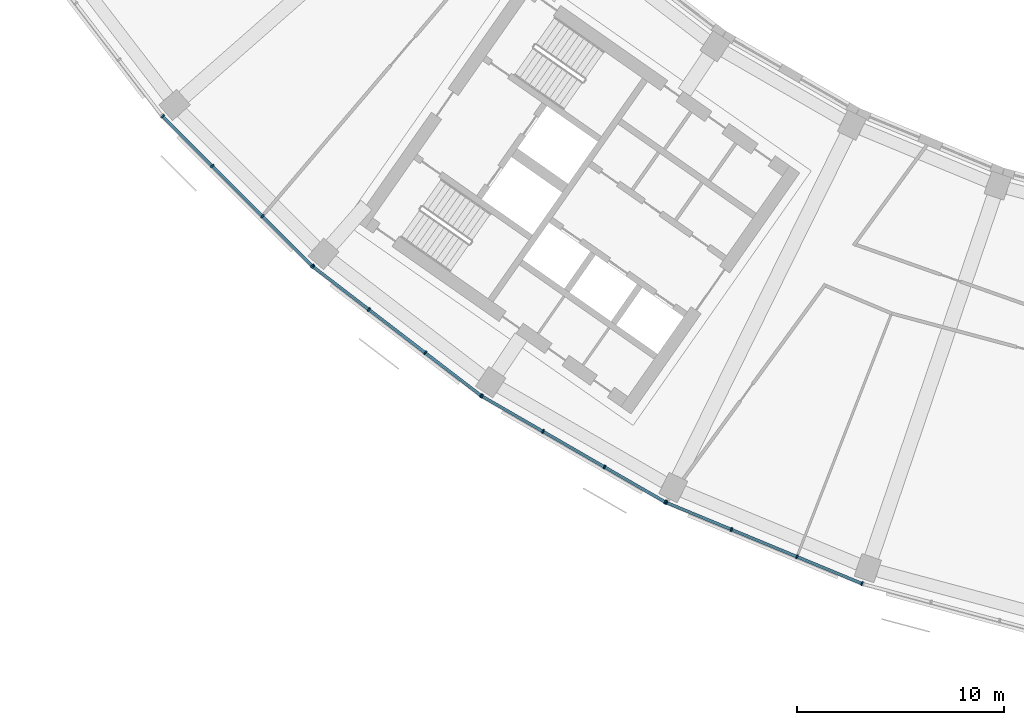
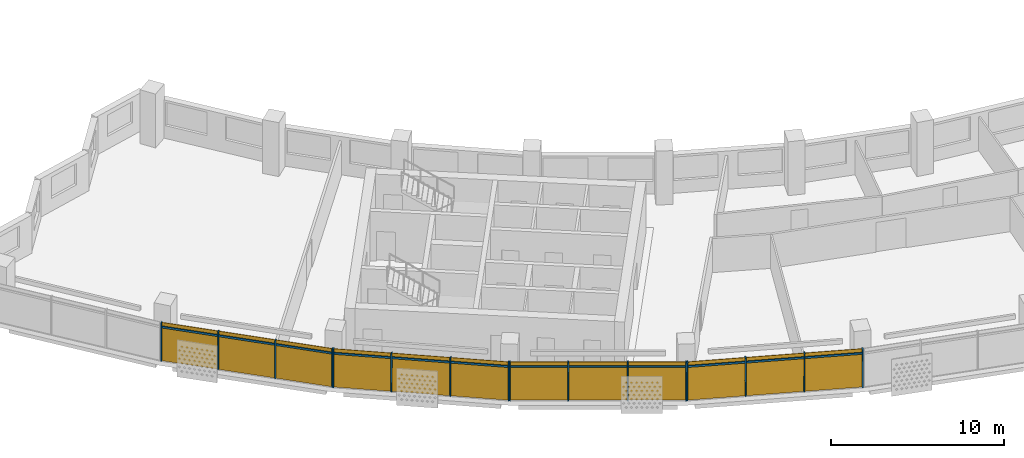
# One storey, part 17 of 29: 28 members, 4 curtain walls.
"""IFC4 building model written with IfcOpenShell, lengths in metres."""

from ifc_helpers import new_model, si_unit, direction, frame, origin, origin_2d, place, context, subcontext, project, spatial, rectangle, extrude, material, material_profile, profile_set, type_object, element, aggregate, save


model = new_model("IFC4")

# Units and contexts
model_context = context("Model", 3, precision=1e-05, world=origin(), true_north=direction((0.0, 1.0)))
body_context = subcontext(model_context, "Body", "Model", "MODEL_VIEW")
ifc_project = project(units=[si_unit("LENGTHUNIT", "METRE"), si_unit("AREAUNIT", "SQUARE_METRE"), si_unit("VOLUMEUNIT", "CUBIC_METRE"), si_unit("PLANEANGLEUNIT", "RADIAN"), si_unit("MASSUNIT", "GRAM", prefix="KILO")], contexts=[model_context])

# Member
ifc_material = material(Name="Aluminium 6063-T6 anodised", Category="aluminium")
ifc_material_profile_1 = material_profile(ifc_material, rectangle(XDim=0.199951171875, YDim=0.070068359375, at=origin_2d()))
ifc_profile_set_1 = profile_set([ifc_material_profile_1], Name="Aluminium 6063-T6 anodised")
member_type_1 = type_object("IfcMemberType", Name="Mullion 70 x 200 aluminium", PredefinedType="MULLION", material=ifc_profile_set_1)
site_placement = place(None, origin())
building_placement = place(site_placement, origin())
storey_placement = place(building_placement, frame((0.0, 0.0, 207.5)))
member_1_placement = place(storey_placement, frame((-59.03662109375, -51.8115234375, 0.0), z_axis=(0.0, 0.0, 1.0), x_axis=(0.707106781187, 0.707106781187, 0.0)))
member_1 = element("IfcMember", 1, at=member_1_placement, type_object=member_type_1, Name="e-cw1-L49-out02/M00", PredefinedType="MULLION", context=body_context, shape_type="SweptSolid", body=[
    extrude(rectangle(XDim=0.199951171875, YDim=0.070068359375, at=origin_2d()), origin(), (0.0, 0.0, 1.0), 2.699951171875),
])

member_2_placement = place(storey_placement, frame((-56.63671875, -54.211669921875, 0.0), z_axis=(0.0, 0.0, 1.0), x_axis=(0.707106781187, 0.707106781187, 0.0)))
member_2 = element("IfcMember", 2, at=member_2_placement, type_object=member_type_1, Name="e-cw1-L49-out02/M01", PredefinedType="MULLION", context=body_context, shape_type="SweptSolid", body=[
    extrude(rectangle(XDim=0.199951171875, YDim=0.070068359375, at=origin_2d()), origin(), (0.0, 0.0, 1.0), 2.699951171875),
])

member_3_placement = place(storey_placement, frame((-54.211669921875, -56.63671875, 0.0), z_axis=(0.0, 0.0, 1.0), x_axis=(0.707106781187, 0.707106781187, 0.0)))
member_3 = element("IfcMember", 3, at=member_3_placement, type_object=member_type_1, Name="e-cw1-L49-out02/M02", PredefinedType="MULLION", context=body_context, shape_type="SweptSolid", body=[
    extrude(rectangle(XDim=0.199951171875, YDim=0.070068359375, at=origin_2d()), origin(), (0.0, 0.0, 1.0), 2.699951171875),
])

member_4_placement = place(storey_placement, frame((-51.8115234375, -59.03662109375, 0.0), z_axis=(0.0, 0.0, 1.0), x_axis=(0.707106781187, 0.707106781187, 0.0)))
member_4 = element("IfcMember", 4, at=member_4_placement, type_object=member_type_1, Name="e-cw1-L49-out02/M03", PredefinedType="MULLION", context=body_context, shape_type="SweptSolid", body=[
    extrude(rectangle(XDim=0.199951171875, YDim=0.070068359375, at=origin_2d()), origin(), (0.0, 0.0, 1.0), 2.699951171875),
])

member_5_placement = place(storey_placement, frame((-51.768798828125, -59.07421875, 0.0), z_axis=(0.0, 0.0, 1.0), x_axis=(0.608761429009, 0.793353340291, 0.0)))
member_5 = element("IfcMember", 5, at=member_5_placement, type_object=member_type_1, Name="e-cw1-L49-out03/M00", PredefinedType="MULLION", context=body_context, shape_type="SweptSolid", body=[
    extrude(rectangle(XDim=0.199951171875, YDim=0.070068359375, at=origin_2d()), origin(), (0.0, 0.0, 1.0), 2.699951171875),
])

member_6_placement = place(storey_placement, frame((-49.075927734375, -61.140380859375, 0.0), z_axis=(0.0, 0.0, 1.0), x_axis=(0.608761429009, 0.793353340291, 0.0)))
member_6 = element("IfcMember", 6, at=member_6_placement, type_object=member_type_1, Name="e-cw1-L49-out03/M01", PredefinedType="MULLION", context=body_context, shape_type="SweptSolid", body=[
    extrude(rectangle(XDim=0.199951171875, YDim=0.070068359375, at=origin_2d()), origin(), (0.0, 0.0, 1.0), 2.699951171875),
])

member_7_placement = place(storey_placement, frame((-46.35546875, -63.22802734375, 0.0), z_axis=(0.0, 0.0, 1.0), x_axis=(0.608761429009, 0.793353340291, 0.0)))
member_7 = element("IfcMember", 7, at=member_7_placement, type_object=member_type_1, Name="e-cw1-L49-out03/M02", PredefinedType="MULLION", context=body_context, shape_type="SweptSolid", body=[
    extrude(rectangle(XDim=0.199951171875, YDim=0.070068359375, at=origin_2d()), origin(), (0.0, 0.0, 1.0), 2.699951171875),
])

member_8_placement = place(storey_placement, frame((-43.66259765625, -65.29443359375, 0.0), z_axis=(0.0, 0.0, 1.0), x_axis=(0.608761429009, 0.793353340291, 0.0)))
member_8 = element("IfcMember", 8, at=member_8_placement, type_object=member_type_1, Name="e-cw1-L49-out03/M03", PredefinedType="MULLION", context=body_context, shape_type="SweptSolid", body=[
    extrude(rectangle(XDim=0.199951171875, YDim=0.070068359375, at=origin_2d()), origin(), (0.0, 0.0, 1.0), 2.699951171875),
])

member_9_placement = place(storey_placement, frame((-43.615234375, -65.325927734375, 0.0), z_axis=(0.0, 0.0, 1.0), x_axis=(0.5, 0.866025403784, 0.0)))
member_9 = element("IfcMember", 9, at=member_9_placement, type_object=member_type_1, Name="e-cw1-L49-out04/M00", PredefinedType="MULLION", context=body_context, shape_type="SweptSolid", body=[
    extrude(rectangle(XDim=0.199951171875, YDim=0.070068359375, at=origin_2d()), origin(), (0.0, 0.0, 1.0), 2.699951171875),
])

member_10_placement = place(storey_placement, frame((-40.67578125, -67.023193359375, 0.0), z_axis=(0.0, 0.0, 1.0), x_axis=(0.5, 0.866025403784, 0.0)))
member_10 = element("IfcMember", 10, at=member_10_placement, type_object=member_type_1, Name="e-cw1-L49-out04/M01", PredefinedType="MULLION", context=body_context, shape_type="SweptSolid", body=[
    extrude(rectangle(XDim=0.199951171875, YDim=0.070068359375, at=origin_2d()), origin(), (0.0, 0.0, 1.0), 2.699951171875),
])

member_11_placement = place(storey_placement, frame((-37.705810546875, -68.73779296875, 0.0), z_axis=(0.0, 0.0, 1.0), x_axis=(0.5, 0.866025403784, 0.0)))
member_11 = element("IfcMember", 11, at=member_11_placement, type_object=member_type_1, Name="e-cw1-L49-out04/M02", PredefinedType="MULLION", context=body_context, shape_type="SweptSolid", body=[
    extrude(rectangle(XDim=0.199951171875, YDim=0.070068359375, at=origin_2d()), origin(), (0.0, 0.0, 1.0), 2.699951171875),
])

member_12_placement = place(storey_placement, frame((-34.766357421875, -70.43505859375, 0.0), z_axis=(0.0, 0.0, 1.0), x_axis=(0.5, 0.866025403784, 0.0)))
member_12 = element("IfcMember", 12, at=member_12_placement, type_object=member_type_1, Name="e-cw1-L49-out04/M03", PredefinedType="MULLION", context=body_context, shape_type="SweptSolid", body=[
    extrude(rectangle(XDim=0.199951171875, YDim=0.070068359375, at=origin_2d()), origin(), (0.0, 0.0, 1.0), 2.699951171875),
])

member_13_placement = place(storey_placement, frame((-34.71533203125, -70.4599609375, 0.0), z_axis=(0.0, 0.0, 1.0), x_axis=(0.382683432365, 0.923879532511, 0.0)))
member_13 = element("IfcMember", 13, at=member_13_placement, type_object=member_type_1, Name="e-cw1-L49-out05/M00", PredefinedType="MULLION", context=body_context, shape_type="SweptSolid", body=[
    extrude(rectangle(XDim=0.199951171875, YDim=0.070068359375, at=origin_2d()), origin(), (0.0, 0.0, 1.0), 2.699951171875),
])

member_14_placement = place(storey_placement, frame((-31.57958984375, -71.759033203125, 0.0), z_axis=(0.0, 0.0, 1.0), x_axis=(0.382683432365, 0.923879532511, 0.0)))
member_14 = element("IfcMember", 14, at=member_14_placement, type_object=member_type_1, Name="e-cw1-L49-out05/M01", PredefinedType="MULLION", context=body_context, shape_type="SweptSolid", body=[
    extrude(rectangle(XDim=0.199951171875, YDim=0.070068359375, at=origin_2d()), origin(), (0.0, 0.0, 1.0), 2.699951171875),
])

member_15_placement = place(storey_placement, frame((-28.4111328125, -73.0712890625, 0.0), z_axis=(0.0, 0.0, 1.0), x_axis=(0.382683432365, 0.923879532511, 0.0)))
member_15 = element("IfcMember", 15, at=member_15_placement, type_object=member_type_1, Name="e-cw1-L49-out05/M02", PredefinedType="MULLION", context=body_context, shape_type="SweptSolid", body=[
    extrude(rectangle(XDim=0.199951171875, YDim=0.070068359375, at=origin_2d()), origin(), (0.0, 0.0, 1.0), 2.699951171875),
])

member_16_placement = place(storey_placement, frame((-25.275390625, -74.370361328125, 0.0), z_axis=(0.0, 0.0, 1.0), x_axis=(0.382683432365, 0.923879532511, 0.0)))
member_16 = element("IfcMember", 16, at=member_16_placement, type_object=member_type_1, Name="e-cw1-L49-out05/M03", PredefinedType="MULLION", context=body_context, shape_type="SweptSolid", body=[
    extrude(rectangle(XDim=0.199951171875, YDim=0.070068359375, at=origin_2d()), origin(), (0.0, 0.0, 1.0), 2.699951171875),
])

ifc_material_profile_2 = material_profile(ifc_material, rectangle(XDim=0.139892578125, YDim=0.1201171875, at=origin_2d()))
ifc_profile_set_2 = profile_set([ifc_material_profile_2], Name="Aluminium 6063-T6 anodised")
member_type_2 = type_object("IfcMemberType", Name="Transom 120 x 140 aluminium", PredefinedType="USERDEFINED", material=ifc_profile_set_2)
member_17_placement = place(storey_placement, frame((-59.011962890625, -51.83642578125, 2.39990234375), z_axis=(0.707106781187, -0.707106781187, 0.0), x_axis=(0.707106781187, 0.707106781187, 0.0)))
member_17 = element("IfcMember", 17, at=member_17_placement, type_object=member_type_2, Name="e-cw1-L49-out02/T00", ObjectType="TRANSOM", PredefinedType="USERDEFINED", context=body_context, shape_type="SweptSolid", body=[
    extrude(rectangle(XDim=0.139892578125, YDim=0.1201171875, at=origin_2d()), origin(), (0.0, 0.0, 1.0), 3.32421875),
])

member_18_placement = place(storey_placement, frame((-56.61181640625, -54.236572265625, 2.39990234375), z_axis=(0.707106781187, -0.707106781187, 0.0), x_axis=(0.707106781187, 0.707106781187, 0.0)))
member_18 = element("IfcMember", 18, at=member_18_placement, type_object=member_type_2, Name="e-cw1-L49-out02/T01", ObjectType="TRANSOM", PredefinedType="USERDEFINED", context=body_context, shape_type="SweptSolid", body=[
    extrude(rectangle(XDim=0.139892578125, YDim=0.1201171875, at=origin_2d()), origin(), (0.0, 0.0, 1.0), 3.359130859375),
])

member_19_placement = place(storey_placement, frame((-54.18701171875, -56.661376953125, 2.39990234375), z_axis=(0.707106781187, -0.707106781187, 0.0), x_axis=(0.707106781187, 0.707106781187, 0.0)))
member_19 = element("IfcMember", 19, at=member_19_placement, type_object=member_type_2, Name="e-cw1-L49-out02/T02", ObjectType="TRANSOM", PredefinedType="USERDEFINED", context=body_context, shape_type="SweptSolid", body=[
    extrude(rectangle(XDim=0.139892578125, YDim=0.1201171875, at=origin_2d()), origin(), (0.0, 0.0, 1.0), 3.32421875),
])

member_20_placement = place(storey_placement, frame((-51.7412109375, -59.095458984375, 2.39990234375), z_axis=(0.793368713958, -0.608741393132, 0.0), x_axis=(0.608741393132, 0.793368713958, 0.0)))
member_20 = element("IfcMember", 20, at=member_20_placement, type_object=member_type_2, Name="e-cw1-L49-out03/T00", ObjectType="TRANSOM", PredefinedType="USERDEFINED", context=body_context, shape_type="SweptSolid", body=[
    extrude(rectangle(XDim=0.139892578125, YDim=0.1201171875, at=origin_2d()), origin(), (0.0, 0.0, 1.0), 3.324462890625),
])

member_21_placement = place(storey_placement, frame((-49.04833984375, -61.161865234375, 2.39990234375), z_axis=(0.793385234627, -0.608719861247, 0.0), x_axis=(0.608719861247, 0.793385234627, 0.0)))
member_21 = element("IfcMember", 21, at=member_21_placement, type_object=member_type_2, Name="e-cw1-L49-out03/T01", ObjectType="TRANSOM", PredefinedType="USERDEFINED", context=body_context, shape_type="SweptSolid", body=[
    extrude(rectangle(XDim=0.139892578125, YDim=0.1201171875, at=origin_2d()), origin(), (0.0, 0.0, 1.0), 3.359375),
])

member_22_placement = place(storey_placement, frame((-46.32763671875, -63.24951171875, 2.39990234375), z_axis=(0.793368713958, -0.608741393132, 0.0), x_axis=(0.608741393132, 0.793368713958, 0.0)))
member_22 = element("IfcMember", 22, at=member_22_placement, type_object=member_type_2, Name="e-cw1-L49-out03/T02", ObjectType="TRANSOM", PredefinedType="USERDEFINED", context=body_context, shape_type="SweptSolid", body=[
    extrude(rectangle(XDim=0.139892578125, YDim=0.1201171875, at=origin_2d()), origin(), (0.0, 0.0, 1.0), 3.324462890625),
])

member_23_placement = place(storey_placement, frame((-43.5849609375, -65.343505859375, 2.39990234375), z_axis=(0.866029041019, -0.499993700073, 0.0), x_axis=(0.499993700073, 0.866029041019, 0.0)))
member_23 = element("IfcMember", 23, at=member_23_placement, type_object=member_type_2, Name="e-cw1-L49-out04/T00", ObjectType="TRANSOM", PredefinedType="USERDEFINED", context=body_context, shape_type="SweptSolid", body=[
    extrude(rectangle(XDim=0.139892578125, YDim=0.1201171875, at=origin_2d()), origin(), (0.0, 0.0, 1.0), 3.32421875),
])

member_24_placement = place(storey_placement, frame((-40.6455078125, -67.04052734375, 2.39990234375), z_axis=(0.866034314054, -0.499984566643, 0.0), x_axis=(0.499984566643, 0.866034314054, 0.0)))
member_24 = element("IfcMember", 24, at=member_24_placement, type_object=member_type_2, Name="e-cw1-L49-out04/T01", ObjectType="TRANSOM", PredefinedType="USERDEFINED", context=body_context, shape_type="SweptSolid", body=[
    extrude(rectangle(XDim=0.139892578125, YDim=0.1201171875, at=origin_2d()), origin(), (0.0, 0.0, 1.0), 3.359375),
])

member_25_placement = place(storey_placement, frame((-37.675537109375, -68.75537109375, 2.39990234375), z_axis=(0.866029041019, -0.499993700073, 0.0), x_axis=(0.499993700073, 0.866029041019, 0.0)))
member_25 = element("IfcMember", 25, at=member_25_placement, type_object=member_type_2, Name="e-cw1-L49-out04/T02", ObjectType="TRANSOM", PredefinedType="USERDEFINED", context=body_context, shape_type="SweptSolid", body=[
    extrude(rectangle(XDim=0.139892578125, YDim=0.1201171875, at=origin_2d()), origin(), (0.0, 0.0, 1.0), 3.32421875),
])

member_26_placement = place(storey_placement, frame((-34.68310546875, -70.473388671875, 2.39990234375), z_axis=(0.923874511193, -0.382695554676, 0.0), x_axis=(0.382695554676, 0.923874511193, 0.0)))
member_26 = element("IfcMember", 26, at=member_26_placement, type_object=member_type_2, Name="e-cw1-L49-out05/T00", ObjectType="TRANSOM", PredefinedType="USERDEFINED", context=body_context, shape_type="SweptSolid", body=[
    extrude(rectangle(XDim=0.139892578125, YDim=0.1201171875, at=origin_2d()), origin(), (0.0, 0.0, 1.0), 3.324462890625),
])

member_27_placement = place(storey_placement, frame((-31.547119140625, -71.7724609375, 2.39990234375), z_axis=(0.923891938088, -0.38265348128, 0.0), x_axis=(0.38265348128, 0.923891938088, 0.0)))
member_27 = element("IfcMember", 27, at=member_27_placement, type_object=member_type_2, Name="e-cw1-L49-out05/T01", ObjectType="TRANSOM", PredefinedType="USERDEFINED", context=body_context, shape_type="SweptSolid", body=[
    extrude(rectangle(XDim=0.139892578125, YDim=0.1201171875, at=origin_2d()), origin(), (0.0, 0.0, 1.0), 3.359130859375),
])

member_28_placement = place(storey_placement, frame((-28.37890625, -73.084716796875, 2.39990234375), z_axis=(0.923874511193, -0.382695554676, 0.0), x_axis=(0.382695554676, 0.923874511193, 0.0)))
member_28 = element("IfcMember", 28, at=member_28_placement, type_object=member_type_2, Name="e-cw1-L49-out05/T02", ObjectType="TRANSOM", PredefinedType="USERDEFINED", context=body_context, shape_type="SweptSolid", body=[
    extrude(rectangle(XDim=0.139892578125, YDim=0.1201171875, at=origin_2d()), origin(), (0.0, 0.0, 1.0), 3.324462890625),
])

# Site, building, storey
site = spatial("IfcSite", under=ifc_project, at=site_placement, CompositionType="ELEMENT")
building = spatial("IfcBuilding", under=site, at=building_placement, Name="Qamariyya Broadcast Tower", CompositionType="ELEMENT")
storey = spatial("IfcBuildingStorey", under=building, at=storey_placement, Name="L49", CompositionType="ELEMENT", Elevation=207.5)

# Curtain wall
curtain_wall_type = type_object("IfcCurtainWallType", Name="Unitised curtain wall, anodised aluminium", PredefinedType="NOTDEFINED", material=ifc_material)
curtain_wall_1_placement = place(storey_placement, origin())
curtain_wall_1 = element("IfcCurtainWall", 29, at=curtain_wall_1_placement, inside=storey, type_object=curtain_wall_type, Name="e-cw1-L49-out02", PredefinedType="NOTDEFINED", context=body_context, shape_type="SweptSolid", body=[
    extrude(rectangle(XDim=3.32421875, YDim=0.031982421875, at=origin_2d()), frame((-57.836669921875, -53.01171875, 0.0), x_axis=(0.707106781187, -0.707106781187, 0.0)), (0.0, 0.0, 1.0), 2.340087890625),
    extrude(rectangle(XDim=3.32421875, YDim=0.031982421875, at=origin_2d()), frame((-57.836669921875, -53.01171875, 2.4599609375), x_axis=(0.707106781187, -0.707106781187, 0.0)), (0.0, 0.0, 1.0), 0.239990234375),
    extrude(rectangle(XDim=3.359375, YDim=0.031982421875, at=origin_2d()), frame((-55.42431640625, -55.42431640625, 0.0), x_axis=(0.707106781187, -0.707106781187, 0.0)), (0.0, 0.0, 1.0), 2.340087890625),
    extrude(rectangle(XDim=3.359375, YDim=0.031982421875, at=origin_2d()), frame((-55.42431640625, -55.42431640625, 2.4599609375), x_axis=(0.707106781187, -0.707106781187, 0.0)), (0.0, 0.0, 1.0), 0.239990234375),
    extrude(rectangle(XDim=3.32421875, YDim=0.031982421875, at=origin_2d()), frame((-53.01171875, -57.836669921875, 0.0), x_axis=(0.707106781187, -0.707106781187, 0.0)), (0.0, 0.0, 1.0), 2.340087890625),
    extrude(rectangle(XDim=3.32421875, YDim=0.031982421875, at=origin_2d()), frame((-53.01171875, -57.836669921875, 2.4599609375), x_axis=(0.707106781187, -0.707106781187, 0.0)), (0.0, 0.0, 1.0), 0.239990234375),
])

aggregate(curtain_wall_1, [member_1, member_2, member_3, member_4, member_17, member_18, member_19])

curtain_wall_2_placement = place(storey_placement, origin())
curtain_wall_2 = element("IfcCurtainWall", 30, at=curtain_wall_2_placement, inside=storey, type_object=curtain_wall_type, Name="e-cw1-L49-out03", PredefinedType="NOTDEFINED", context=body_context, shape_type="SweptSolid", body=[
    extrude(rectangle(XDim=3.32421875, YDim=0.031982421875, at=origin_2d()), frame((-50.42236328125, -60.107421875, 0.0), x_axis=(0.793359168734, -0.608753833159, 0.0)), (0.0, 0.0, 1.0), 2.340087890625),
    extrude(rectangle(XDim=3.32421875, YDim=0.031982421875, at=origin_2d()), frame((-50.42236328125, -60.107421875, 2.4599609375), x_axis=(0.793359168734, -0.608753833159, 0.0)), (0.0, 0.0, 1.0), 0.239990234375),
    extrude(rectangle(XDim=3.359130859375, YDim=0.031982421875, at=origin_2d()), frame((-47.7158203125, -62.184326171875, 0.0), x_axis=(0.793359168734, -0.608753833159, 0.0)), (0.0, 0.0, 1.0), 2.340087890625),
    extrude(rectangle(XDim=3.359130859375, YDim=0.031982421875, at=origin_2d()), frame((-47.7158203125, -62.184326171875, 2.4599609375), x_axis=(0.793359168734, -0.608753833159, 0.0)), (0.0, 0.0, 1.0), 0.239990234375),
    extrude(rectangle(XDim=3.32421875, YDim=0.031982421875, at=origin_2d()), frame((-45.009033203125, -64.26123046875, 0.0), x_axis=(0.793359168734, -0.608753833159, 0.0)), (0.0, 0.0, 1.0), 2.340087890625),
    extrude(rectangle(XDim=3.32421875, YDim=0.031982421875, at=origin_2d()), frame((-45.009033203125, -64.26123046875, 2.4599609375), x_axis=(0.793359168734, -0.608753833159, 0.0)), (0.0, 0.0, 1.0), 0.239990234375),
])

aggregate(curtain_wall_2, [member_5, member_6, member_7, member_8, member_20, member_21, member_22])

curtain_wall_3_placement = place(storey_placement, origin())
curtain_wall_3 = element("IfcCurtainWall", 31, at=curtain_wall_3_placement, inside=storey, type_object=curtain_wall_type, Name="e-cw1-L49-out04", PredefinedType="NOTDEFINED", context=body_context, shape_type="SweptSolid", body=[
    extrude(rectangle(XDim=3.32421875, YDim=0.031982421875, at=origin_2d()), frame((-42.1455078125, -66.174560546875, 0.0), x_axis=(0.866027904674, -0.499995668308, 0.0)), (0.0, 0.0, 1.0), 2.340087890625),
    extrude(rectangle(XDim=3.32421875, YDim=0.031982421875, at=origin_2d()), frame((-42.1455078125, -66.174560546875, 2.4599609375), x_axis=(0.866027904674, -0.499995668308, 0.0)), (0.0, 0.0, 1.0), 0.239990234375),
    extrude(rectangle(XDim=3.359130859375, YDim=0.031982421875, at=origin_2d()), frame((-39.19091796875, -67.88037109375, 0.0), x_axis=(0.866027904674, -0.499995668308, 0.0)), (0.0, 0.0, 1.0), 2.340087890625),
    extrude(rectangle(XDim=3.359130859375, YDim=0.031982421875, at=origin_2d()), frame((-39.19091796875, -67.88037109375, 2.4599609375), x_axis=(0.866027904674, -0.499995668308, 0.0)), (0.0, 0.0, 1.0), 0.239990234375),
    extrude(rectangle(XDim=3.32421875, YDim=0.031982421875, at=origin_2d()), frame((-36.236083984375, -69.58642578125, 0.0), x_axis=(0.866027904674, -0.499995668308, 0.0)), (0.0, 0.0, 1.0), 2.340087890625),
    extrude(rectangle(XDim=3.32421875, YDim=0.031982421875, at=origin_2d()), frame((-36.236083984375, -69.58642578125, 2.4599609375), x_axis=(0.866027904674, -0.499995668308, 0.0)), (0.0, 0.0, 1.0), 0.239990234375),
])

aggregate(curtain_wall_3, [member_9, member_10, member_11, member_12, member_23, member_24, member_25])

curtain_wall_4_placement = place(storey_placement, origin())
curtain_wall_4 = element("IfcCurtainWall", 32, at=curtain_wall_4_placement, inside=storey, type_object=curtain_wall_type, Name="e-cw1-L49-out05", PredefinedType="NOTDEFINED", context=body_context, shape_type="SweptSolid", body=[
    extrude(rectangle(XDim=3.32421875, YDim=0.031982421875, at=origin_2d()), frame((-33.1474609375, -71.109375, 0.0), x_axis=(0.923880895135, -0.382680142683, 0.0)), (0.0, 0.0, 1.0), 2.340087890625),
    extrude(rectangle(XDim=3.32421875, YDim=0.031982421875, at=origin_2d()), frame((-33.1474609375, -71.109375, 2.4599609375), x_axis=(0.923880895135, -0.382680142683, 0.0)), (0.0, 0.0, 1.0), 0.239990234375),
    extrude(rectangle(XDim=3.359375, YDim=0.031982421875, at=origin_2d()), frame((-29.995361328125, -72.4150390625, 0.0), x_axis=(0.923880895135, -0.382680142683, 0.0)), (0.0, 0.0, 1.0), 2.340087890625),
    extrude(rectangle(XDim=3.359375, YDim=0.031982421875, at=origin_2d()), frame((-29.995361328125, -72.4150390625, 2.4599609375), x_axis=(0.923880895135, -0.382680142683, 0.0)), (0.0, 0.0, 1.0), 0.239990234375),
    extrude(rectangle(XDim=3.32421875, YDim=0.031982421875, at=origin_2d()), frame((-26.84326171875, -73.720703125, 0.0), x_axis=(0.923880895135, -0.382680142683, 0.0)), (0.0, 0.0, 1.0), 2.340087890625),
    extrude(rectangle(XDim=3.32421875, YDim=0.031982421875, at=origin_2d()), frame((-26.84326171875, -73.720703125, 2.4599609375), x_axis=(0.923880895135, -0.382680142683, 0.0)), (0.0, 0.0, 1.0), 0.239990234375),
])

aggregate(curtain_wall_4, [member_13, member_14, member_15, member_16, member_26, member_27, member_28])

save(model, "model.ifc")
